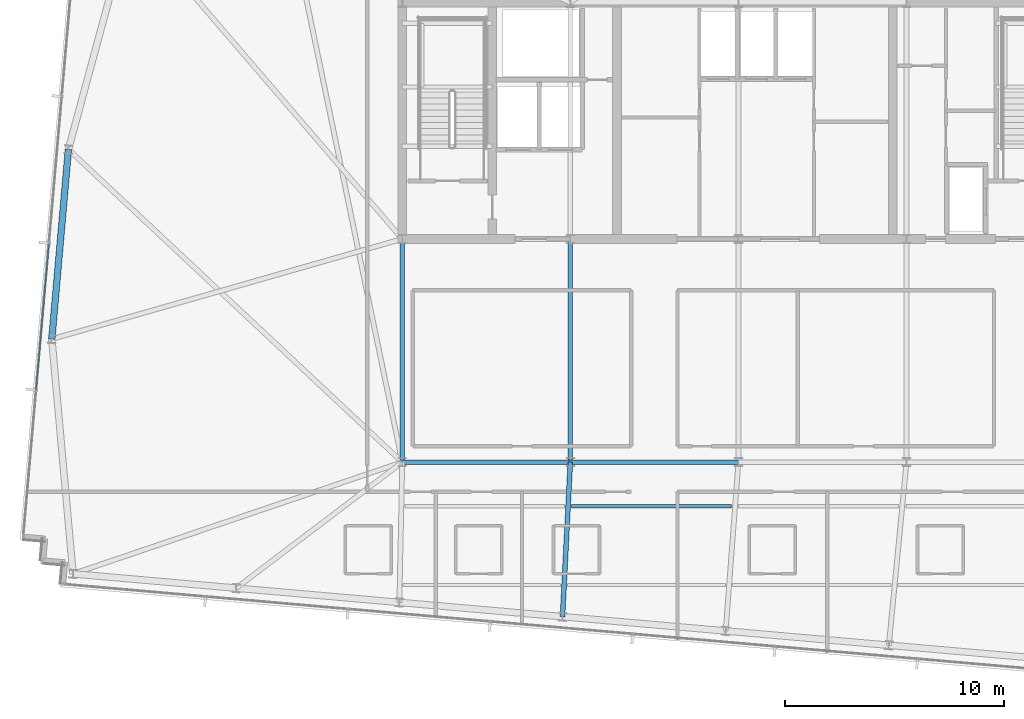
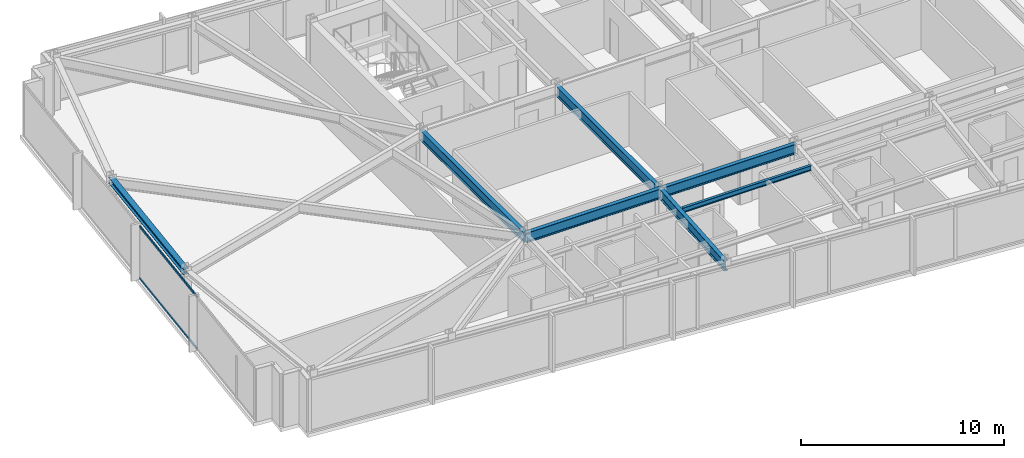
# One storey, part 8 of 33: 7 beams, 2 members, 1 element without a shape of its own.
"""IFC4 building model written with IfcOpenShell, lengths in metres."""

from ifc_helpers import new_model, si_unit, direction, frame, origin, origin_2d, place, context, subcontext, project, spatial, hollow_rectangle, i_section, extrude, material, material_profile, profile_set, type_object, element, aggregate, save


model = new_model("IFC4")

# Units and contexts
model_context = context("Model", 3, precision=1e-05, world=origin(), true_north=direction((0.0, 1.0)))
body_context = subcontext(model_context, "Body", "Model", "MODEL_VIEW")
ifc_project = project(units=[si_unit("LENGTHUNIT", "METRE"), si_unit("AREAUNIT", "SQUARE_METRE"), si_unit("VOLUMEUNIT", "CUBIC_METRE"), si_unit("PLANEANGLEUNIT", "RADIAN"), si_unit("MASSUNIT", "GRAM", prefix="KILO")], contexts=[model_context])

# Site, building, storey
site_placement = place(None, origin())
site = spatial("IfcSite", under=ifc_project, at=site_placement, CompositionType="ELEMENT")
building_placement = place(site_placement, origin())
building = spatial("IfcBuilding", under=site, at=building_placement, Name="Yelkora Congress Tower", CompositionType="ELEMENT")
storey_placement = place(building_placement, frame((0.0, 0.0, 289.699951171875)))
storey = spatial("IfcBuildingStorey", under=building, at=storey_placement, Name="L81", CompositionType="ELEMENT", Elevation=289.699951171875)

# Beams
ifc_material_1 = material(Name="Steel S355J2", Category="steel")
ifc_material_profile_1 = material_profile(ifc_material_1, i_section(OverallWidth=0.219970703125, OverallDepth=0.60009765625, WebThickness=0.011962890625, FlangeThickness=0.01904296875, FilletRadius=0.02392578125, at=origin_2d()), Name="IPE 600")
ifc_profile_set_1 = profile_set([ifc_material_profile_1], Name="Steel S355J2")
beam_type_1 = type_object("IfcBeamType", Name="BM-GIRD-IPE600", PredefinedType="BEAM", material=ifc_profile_set_1)
for number, where, z_axis, x_axis, name in (
    (1, (23.0400390625, 25.199951171875, 2.880126953125), (1.0, 0.0, 0.0), (0.0, 1.0, 0.0), "L81 Spine Grid D Girder 1"),
    (2, (30.719970703125, 25.199951171875, 2.880126953125), (1.0, 0.0, 0.0), (0.0, 1.0, 0.0), "L81 Spine Grid D Girder 2"),
):
    element("IfcBeam", number, at=place(storey_placement, frame(where, z_axis=z_axis, x_axis=x_axis)), inside=storey, type_object=beam_type_1, Name=name, PredefinedType="BEAM", context=body_context, shape_type="SweptSolid", body=[
        extrude(i_section(OverallWidth=0.219970703125, OverallDepth=0.60009765625, WebThickness=0.011962890625, FlangeThickness=0.01904296875, FilletRadius=0.02392578125, at=origin_2d()), origin(), (0.0, 0.0, 1.0), 7.679931640625),
    ])
for number, where, z_axis, x_axis, name in (
    (3, (23.0400390625, 25.199951171875, 2.880126953125), (0.0, 1.0, 0.0), (-1.0, 0.0, 0.0), "L81 Core Tie Girder MC-D1"),
    (4, (30.719970703125, 25.199951171875, 2.880126953125), (0.0, 1.0, 0.0), (-1.0, 0.0, 0.0), "L81 Core Tie Girder MC-D2"),
):
    element("IfcBeam", number, at=place(storey_placement, frame(where, z_axis=z_axis, x_axis=x_axis)), inside=storey, type_object=beam_type_1, Name=name, PredefinedType="BEAM", context=body_context, shape_type="SweptSolid", body=[
        extrude(i_section(OverallWidth=0.219970703125, OverallDepth=0.60009765625, WebThickness=0.011962890625, FlangeThickness=0.01904296875, FilletRadius=0.02392578125, at=origin_2d()), origin(), (0.0, 0.0, 1.0), 10.199951171875),
    ])
beam_1_placement = place(storey_placement, frame((30.362548828125, 18.14111328125, 2.880126953125), z_axis=(0.050569876836, 0.998720525251, 0.0), x_axis=(-0.998720525251, 0.050569876836, 0.0)))
element("IfcBeam", 5, at=beam_1_placement, inside=storey, type_object=beam_type_1, Name="L81 Primary Frame Girder S04", PredefinedType="BEAM", context=body_context, shape_type="SweptSolid", body=[
    extrude(i_section(OverallWidth=0.219970703125, OverallDepth=0.60009765625, WebThickness=0.011962890625, FlangeThickness=0.01904296875, FilletRadius=0.02392578125, at=origin_2d()), origin(), (0.0, 0.0, 1.0), 7.06787109375),
])
ifc_material_profile_2 = material_profile(ifc_material_1, i_section(OverallWidth=0.14990234375, OverallDepth=0.300048828125, WebThickness=0.007080078125, FlangeThickness=0.0107421875, FilletRadius=0.014892578125, at=origin_2d()), Name="IPE 300")
ifc_profile_set_2 = profile_set([ifc_material_profile_2], Name="Steel S355J2")
beam_type_2 = type_object("IfcBeamType", Name="BM-JOIST-IPE300", PredefinedType="JOIST", material=ifc_profile_set_2)
beam_2_placement = place(storey_placement, frame((30.778076171875, 23.1845703125, 3.030029296875), z_axis=(1.0, 0.0, 0.0), x_axis=(0.0, 1.0, 0.0)))
element("IfcBeam", 6, at=beam_2_placement, inside=storey, type_object=beam_type_2, Name="L81 Composite Floor Joist 6", PredefinedType="JOIST", context=body_context, shape_type="SweptSolid", body=[
    extrude(i_section(OverallWidth=0.14990234375, OverallDepth=0.300048828125, WebThickness=0.007080078125, FlangeThickness=0.0107421875, FilletRadius=0.014892578125, at=origin_2d()), origin(), (0.0, 0.0, 1.0), 7.3095703125),
])
ifc_material_profile_3 = material_profile(ifc_material_1, i_section(OverallWidth=0.300048828125, OverallDepth=0.340087890625, WebThickness=0.011962890625, FlangeThickness=0.021484375, FilletRadius=0.027099609375, at=origin_2d()), Name="HEB 340")
ifc_profile_set_3 = profile_set([ifc_material_profile_3], Name="Steel S355J2")
beam_type_3 = type_object("IfcBeamType", Name="BM-SPAN-HEB340", PredefinedType="SPANDREL", material=ifc_profile_set_3)
beam_3_placement = place(storey_placement, frame((7.787353515625, 39.489990234375, 3.010009765625), z_axis=(-0.08715998813, -0.99619432666, 0.0), x_axis=(0.99619432666, -0.08715998813, 0.0)))
element("IfcBeam", 7, at=beam_3_placement, inside=storey, type_object=beam_type_3, Name="L81 Perimeter Beam 14", PredefinedType="SPANDREL", context=body_context, shape_type="SweptSolid", body=[
    extrude(i_section(OverallWidth=0.300048828125, OverallDepth=0.340087890625, WebThickness=0.011962890625, FlangeThickness=0.021484375, FilletRadius=0.027099609375, at=origin_2d()), origin(), (0.0, 0.0, 1.0), 8.7001953125),
])

# Curtain wall, members
ifc_material_2 = material(Name="Anodised aluminium and insulated glass", Category="aluminium")
curtain_wall_type = type_object("IfcCurtainWallType", Name="CW-SYS-B5", PredefinedType="NOTDEFINED", material=ifc_material_2)
curtain_wall_placement = place(storey_placement, origin())
curtain_wall = element("IfcCurtainWall", 8, at=curtain_wall_placement, inside=storey, type_object=curtain_wall_type, Name="L81 Unitised Curtain Wall 5", PredefinedType="NOTDEFINED")
ifc_material_3 = material(Name="Anodised aluminium 6063-T6", Category="aluminium")
ifc_material_profile_4 = material_profile(ifc_material_3, hollow_rectangle(XDim=0.06005859375, YDim=0.1298828125, WallThickness=0.00390625, at=origin_2d()), Name="ALU 60x130x4")
ifc_profile_set_4 = profile_set([ifc_material_profile_4], Name="Anodised aluminium 6063-T6")
member_type = type_object("IfcMemberType", Name="MEM-TR-B5", PredefinedType="USERDEFINED", material=ifc_profile_set_4)
member_1_placement = place(storey_placement, frame((6.31640625, 28.529052734375, 0.030029296875), z_axis=(0.087182854761, 0.996192325726, 0.0), x_axis=(-0.996192325726, 0.087182854761, 0.0)))
member_1 = element("IfcMember", 9, at=member_1_placement, type_object=member_type, Name="CW-B5 transom 2.1", ObjectType="TRANSOM", PredefinedType="USERDEFINED", context=body_context, shape_type="SweptSolid", body=[
    extrude(hollow_rectangle(XDim=0.06005859375, YDim=0.1298828125, WallThickness=0.00390625, at=origin_2d()), origin(), (0.0, 0.0, 1.0), 6.664794921875),
])
member_2_placement = place(storey_placement, frame((6.31640625, 28.529052734375, 3.150146484375), z_axis=(0.087182854761, 0.996192325726, 0.0), x_axis=(-0.996192325726, 0.087182854761, 0.0)))
member_2 = element("IfcMember", 10, at=member_2_placement, type_object=member_type, Name="CW-B5 transom 2.2", ObjectType="TRANSOM", PredefinedType="USERDEFINED", context=body_context, shape_type="SweptSolid", body=[
    extrude(hollow_rectangle(XDim=0.06005859375, YDim=0.1298828125, WallThickness=0.00390625, at=origin_2d()), origin(), (0.0, 0.0, 1.0), 6.664794921875),
])
aggregate(curtain_wall, [member_1, member_2])

save(model, "model.ifc")
